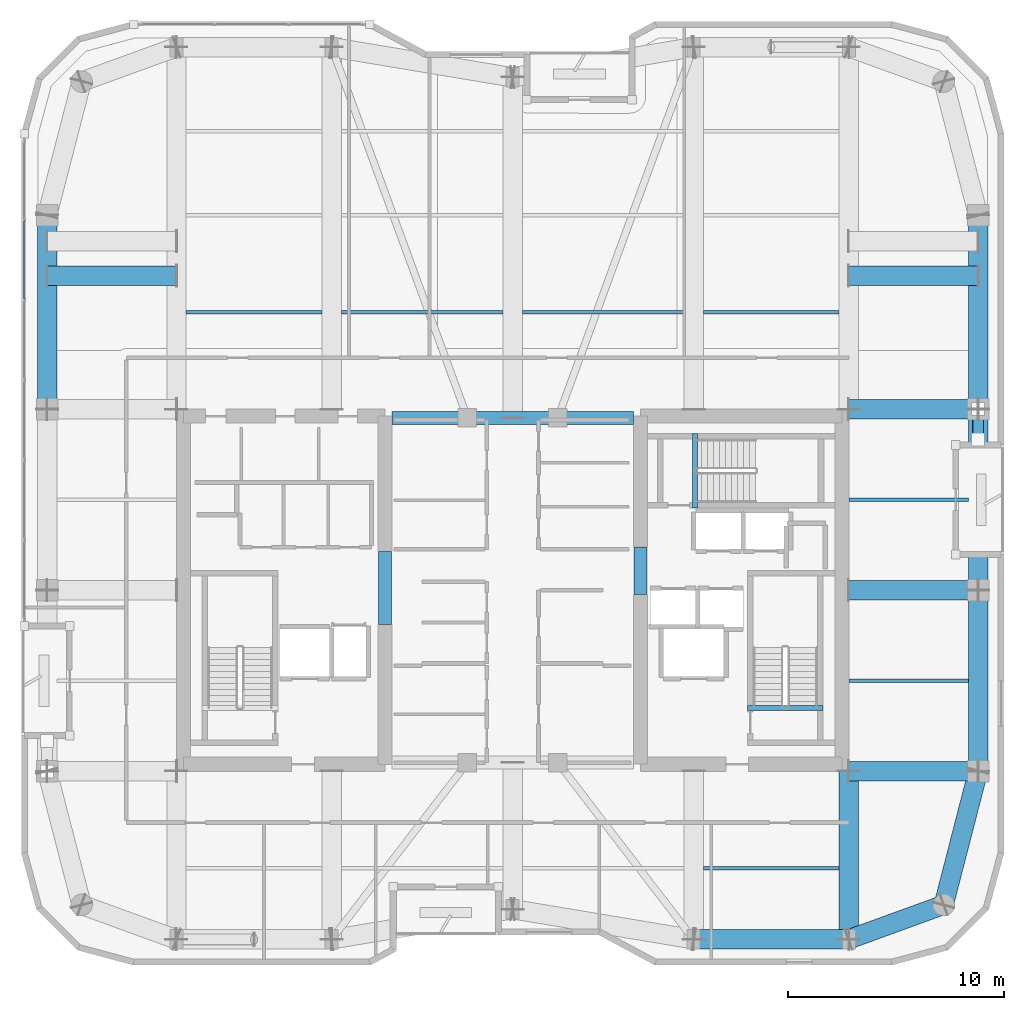
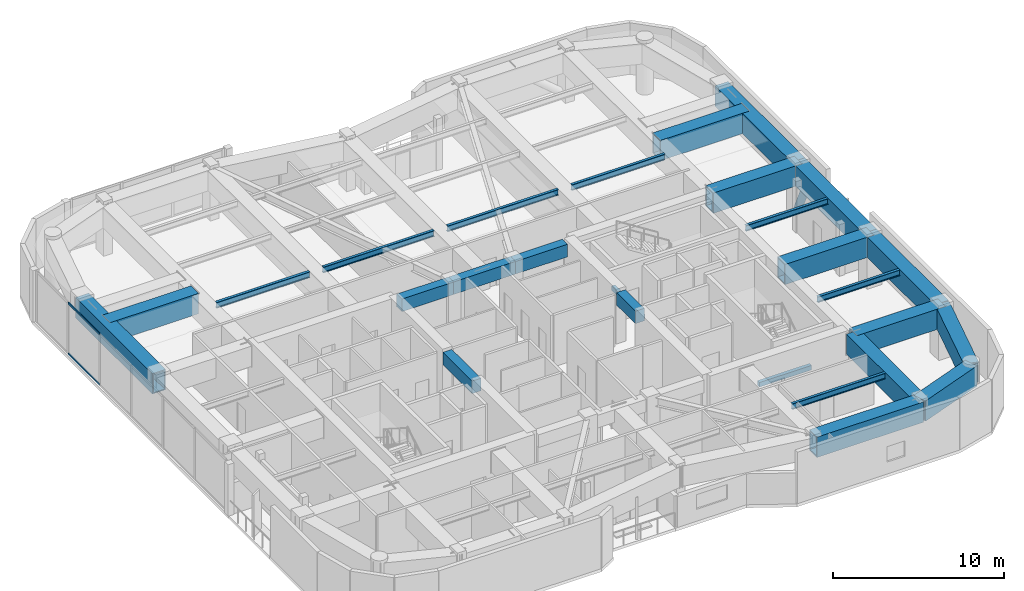
# One storey, part 5 of 21: 27 beams, 3 members, 1 element without a shape of its own.
"""IFC4 building model written with IfcOpenShell, lengths in metres."""

import ifcopenshell
import ifcopenshell.guid

model = None  # the IFC model being written
_history = None  # IfcOwnerHistory: only IFC2X3 demands one
_inside = {}  # id of a spatial element -> (the spatial element, [elements in it])
_under = {}  # id of a project, library or spatial element -> (it, [spatial elements below it])
_declared = {}  # id of a project -> (the project, [libraries it declares])
_typed = {}  # id of a type object -> (the type object, [elements of that type])
_made_of = {}  # id of a material, layer set ... -> (it, [elements and type objects made of it])


def new_model(schema):
    """Start an empty IFC model of exactly this schema.

    Asked for "IFC4X3", IfcOpenShell would pick the latest addendum, in which some entities
    have other attributes; the version numbers below select the first issue.
    IFC2X3 requires an IfcOwnerHistory on every rooted entity: one is made here for all.
    """
    global model, _history
    if schema == "IFC4X3":
        model = ifcopenshell.file(schema_version=(4, 3, 0, 0))
    else:
        model = ifcopenshell.file(schema=schema)
    _inside.clear()
    _under.clear()
    _declared.clear()
    _typed.clear()
    _made_of.clear()
    _history = None
    if model.schema == "IFC2X3":
        org = make("IfcOrganization", Name="unknown")
        user = make(
            "IfcPersonAndOrganization",
            ThePerson=make("IfcPerson", FamilyName="unknown"),
            TheOrganization=org,
        )
        app = make(
            "IfcApplication",
            ApplicationDeveloper=org,
            Version="unknown",
            ApplicationFullName="unknown",
            ApplicationIdentifier="unknown",
        )
        _history = make(
            "IfcOwnerHistory",
            OwningUser=user,
            OwningApplication=app,
            ChangeAction="ADDED",
            CreationDate=0,
        )
    return model


def make(cls, **values):
    """One entity of the class cls with the attributes given. An attribute that is None is left unset."""
    return model.create_entity(
        cls, **{name: value for name, value in values.items() if value is not None}
    )


def rooted(cls, **values):
    """An entity with a GlobalId (a new one), such as an element, a storey or a relation."""
    return make(cls, GlobalId=ifcopenshell.guid.new(), OwnerHistory=_history, **values)


def si_unit(unit_type, name, prefix=None):
    """IfcSIUnit, for example si_unit("LENGTHUNIT", "METRE", prefix="MILLI")."""
    return make("IfcSIUnit", UnitType=unit_type, Prefix=prefix, Name=name)


def assignment(units):
    """IfcUnitAssignment: the units of a project."""
    return None if units is None else make("IfcUnitAssignment", Units=units)


def point(xyz):
    """IfcCartesianPoint."""
    return None if xyz is None else make("IfcCartesianPoint", Coordinates=xyz)


def direction(xyz):
    """IfcDirection."""
    return None if xyz is None else make("IfcDirection", DirectionRatios=xyz)


def frame(location, z_axis=None, x_axis=None):
    """IfcAxis2Placement3D, a coordinate frame: its origin and axes. An axis left out is left unset."""
    return make(
        "IfcAxis2Placement3D",
        Location=point(location),
        Axis=direction(z_axis),
        RefDirection=direction(x_axis),
    )


def frame_2d(location, x_axis=None):
    """IfcAxis2Placement2D, a coordinate frame in the plane: its origin and x axis."""
    return make(
        "IfcAxis2Placement2D", Location=point(location), RefDirection=direction(x_axis)
    )


def origin():
    """The frame at (0, 0, 0) with its axes left unset."""
    return frame((0.0, 0.0, 0.0))


def origin_2d():
    """The frame at (0, 0) in the plane with its x axis left unset."""
    return frame_2d((0.0, 0.0))


def place(relative_to, where):
    """IfcLocalPlacement: puts the frame where relative to a parent placement (None: the world)."""
    return make(
        "IfcLocalPlacement", PlacementRelTo=relative_to, RelativePlacement=where
    )


def context(
    kind, dimensions, precision=None, world=None, true_north=None, identifier=None
):
    """IfcGeometricRepresentationContext, for example the 3D "Model" context."""
    return make(
        "IfcGeometricRepresentationContext",
        ContextIdentifier=identifier,
        ContextType=kind,
        CoordinateSpaceDimension=dimensions,
        Precision=precision,
        WorldCoordinateSystem=world,
        TrueNorth=true_north,
    )


def subcontext(parent, identifier, kind, view, scale=None):
    """IfcGeometricRepresentationSubContext, for example "Body" below "Model"."""
    return make(
        "IfcGeometricRepresentationSubContext",
        ContextIdentifier=identifier,
        ContextType=kind,
        ParentContext=parent,
        TargetScale=scale,
        TargetView=view,
    )


def project(units=None, contexts=None):
    """IfcProject with its units and contexts."""
    return rooted(
        "IfcProject",
        Name="project",
        RepresentationContexts=contexts,
        UnitsInContext=assignment(units),
    )


def spatial(cls, under=None, at=None, **own):
    """A site, building, storey or space (cls), placed at a placement, below another one or the project."""
    s = rooted(cls, ObjectPlacement=at, **own)
    if under is not None:
        _under.setdefault(under.id(), (under, []))[1].append(s)
    return s


def profile(cls, at=None, kind="AREA", **sizes):
    """A parametric profile (cls). Its sizes go by their IFC names, for example OverallWidth=200.0."""
    return make(cls, ProfileType=kind, Position=at, **sizes)


def rectangle(**sizes):
    """IfcRectangleProfileDef."""
    return profile("IfcRectangleProfileDef", **sizes)


def hollow_rectangle(**sizes):
    """IfcRectangleHollowProfileDef."""
    return profile("IfcRectangleHollowProfileDef", **sizes)


def hollow_circle(**sizes):
    """IfcCircleHollowProfileDef."""
    return profile("IfcCircleHollowProfileDef", **sizes)


def i_section(**sizes):
    """IfcIShapeProfileDef."""
    return profile("IfcIShapeProfileDef", **sizes)


def extrude(swept, where, along, depth):
    """IfcExtrudedAreaSolid: the profile swept, set in the frame where, extruded along a direction by depth."""
    return make(
        "IfcExtrudedAreaSolid",
        SweptArea=swept,
        Position=where,
        ExtrudedDirection=direction(along),
        Depth=depth,
    )


def shape(context_of_items, identifier, shape_type, items):
    """IfcShapeRepresentation: the items that make up one representation, for example the "Body"."""
    return make(
        "IfcShapeRepresentation",
        ContextOfItems=context_of_items,
        RepresentationIdentifier=identifier,
        RepresentationType=shape_type,
        Items=items,
    )


def material(Name=None, Category=None):
    """IfcMaterial."""
    return make("IfcMaterial", Name=Name, Category=Category)


def layer(
    of_material, thickness, ventilated=None, Name=None, Category=None, Priority=None
):
    """IfcMaterialLayer: one layer of a wall or slab, of a material (None: an air gap)."""
    return make(
        "IfcMaterialLayer",
        Material=of_material,
        LayerThickness=thickness,
        IsVentilated=ventilated,
        Name=Name,
        Category=Category,
        Priority=Priority,
    )


def layer_set(layers, Name=None):
    """IfcMaterialLayerSet."""
    return make("IfcMaterialLayerSet", MaterialLayers=layers, LayerSetName=Name)


def material_profile(
    of_material, cross_section, Name=None, Category=None, Priority=None
):
    """IfcMaterialProfile: a cross section and its material."""
    return make(
        "IfcMaterialProfile",
        Name=Name,
        Material=of_material,
        Profile=cross_section,
        Priority=Priority,
        Category=Category,
    )


def profile_set(profiles, Name=None, composite=None):
    """IfcMaterialProfileSet."""
    return make(
        "IfcMaterialProfileSet",
        Name=Name,
        MaterialProfiles=profiles,
        CompositeProfile=composite,
    )


def made_of(thing, what):
    """Note that an element or type object is made of a material, layer set ...; save() writes the relation."""
    if what is not None:
        _made_of.setdefault(what.id(), (what, []))[1].append(thing)
    return thing


def type_object(cls, material=None, **own):
    """A type object (cls), such as IfcWallType, which elements share."""
    return made_of(rooted(cls, **own), material)


def element(
    cls,
    number,
    at=None,
    inside=None,
    cuts=None,
    type_object=None,
    material=None,
    context=None,
    identifier="Body",
    shape_type=None,
    held_by="IfcProductDefinitionShape",
    body=None,
    shapes=None,
    **own,
):
    """One element of the class cls, such as IfcWall. Its Tag is "e" and its number.

    at: its placement. inside: the storey or other place that contains it. cuts: it is an
    opening in that element (IfcRelVoidsElement). A single representation is given by context,
    identifier, shape_type and body (its items); several are given by shapes. held_by: the class
    of the entity that holds the representations. save() writes the other relations.
    """
    e = rooted(cls, Tag="e%d" % number, ObjectPlacement=at, **own)
    if body is not None:
        shapes = [shape(context, identifier, shape_type, body)]
    if shapes is not None:
        e.Representation = make(held_by, Representations=shapes)
    if inside is not None:
        _inside.setdefault(inside.id(), (inside, []))[1].append(e)
    if cuts is not None:
        rooted(
            "IfcRelVoidsElement", RelatingBuildingElement=cuts, RelatedOpeningElement=e
        )
    if type_object is not None:
        _typed.setdefault(type_object.id(), (type_object, []))[1].append(e)
    return made_of(e, material)


def aggregate(whole, parts):
    """IfcRelAggregates: a whole, such as a stair, and the parts it consists of."""
    return rooted("IfcRelAggregates", RelatingObject=whole, RelatedObjects=parts)


def save(model, path):
    """Write the relations noted so far, then the file.

    IfcRelAggregates (storeys below a building ...), IfcRelContainedInSpatialStructure (elements
    in a storey), IfcRelDefinesByType, IfcRelAssociatesMaterial and IfcRelDeclares: one each for
    every whole, place, type object, material and project.
    """
    for whole, parts in _under.values():
        aggregate(whole, parts)
    for where, things in _inside.values():
        rooted(
            "IfcRelContainedInSpatialStructure",
            RelatedElements=things,
            RelatingStructure=where,
        )
    for kind, things in _typed.values():
        rooted("IfcRelDefinesByType", RelatedObjects=things, RelatingType=kind)
    for what, things in _made_of.values():
        rooted("IfcRelAssociatesMaterial", RelatedObjects=things, RelatingMaterial=what)
    for by, libraries in _declared.values():
        rooted("IfcRelDeclares", RelatingContext=by, RelatedDefinitions=libraries)
    model.write(path)


model = new_model("IFC4")

# Units and contexts
model_context = context("Model", 3, precision=1e-05, world=origin(), true_north=direction((0.0, 1.0)))
body_context = subcontext(model_context, "Body", "Model", "MODEL_VIEW")
ifc_project = project(units=[si_unit("LENGTHUNIT", "METRE"), si_unit("AREAUNIT", "SQUARE_METRE"), si_unit("VOLUMEUNIT", "CUBIC_METRE"), si_unit("PLANEANGLEUNIT", "RADIAN"), si_unit("MASSUNIT", "GRAM", prefix="KILO")], contexts=[model_context])

# Site, building, storey
site_placement = place(None, origin())
site = spatial("IfcSite", under=ifc_project, at=site_placement, CompositionType="ELEMENT")
building_placement = place(site_placement, origin())
building = spatial("IfcBuilding", under=site, at=building_placement, Name="Kiyonajd Concourse Tower", CompositionType="ELEMENT")
storey_placement = place(building_placement, frame((0.0, 0.0, 251.10009765625)))
storey = spatial("IfcBuildingStorey", under=building, at=storey_placement, Name="L63", CompositionType="ELEMENT", Elevation=251.10009765625)

# Beams
ifc_material_1 = material(Name="Concrete C60/75", Category="concrete")
ifc_material_profile_1 = material_profile(ifc_material_1, rectangle(XDim=0.60009765625, YDim=0.89990234375, at=origin_2d()), Name="RCBM-600x900")
ifc_profile_set_1 = profile_set([ifc_material_profile_1], Name="Concrete C60/75")
beam_type_1 = type_object("IfcBeamType", Name="BM-COUP-900", PredefinedType="LINTEL", material=ifc_profile_set_1)
beam_1_placement = place(storey_placement, frame((42.39990234375, 44.0, 3.22998046875), z_axis=(1.0, 0.0, 0.0), x_axis=(0.0, 1.0, 0.0)))
element("IfcBeam", 1, at=beam_1_placement, inside=storey, type_object=beam_type_1, Name="L63 Core Coupling Beam N1", PredefinedType="LINTEL", context=body_context, shape_type="SweptSolid", body=[
    extrude(rectangle(XDim=0.60009765625, YDim=0.89990234375, at=origin_2d()), origin(), (0.0, 0.0, 1.0), 3.5),
])
beam_2_placement = place(storey_placement, frame((45.89990234375, 44.0, 3.22998046875), z_axis=(1.0, 0.0, 0.0), x_axis=(0.0, 1.0, 0.0)))
element("IfcBeam", 2, at=beam_2_placement, inside=storey, type_object=beam_type_1, Name="L63 Core Coupling Beam N2", PredefinedType="LINTEL", context=body_context, shape_type="SweptSolid", body=[
    extrude(rectangle(XDim=0.60009765625, YDim=0.89990234375, at=origin_2d()), origin(), (0.0, 0.0, 1.0), 4.2001953125),
])
beam_3_placement = place(storey_placement, frame((50.10009765625, 44.0, 3.22998046875), z_axis=(1.0, 0.0, 0.0), x_axis=(0.0, 1.0, 0.0)))
element("IfcBeam", 3, at=beam_3_placement, inside=storey, type_object=beam_type_1, Name="L63 Core Coupling Beam N3", PredefinedType="LINTEL", context=body_context, shape_type="SweptSolid", body=[
    extrude(rectangle(XDim=0.60009765625, YDim=0.89990234375, at=origin_2d()), origin(), (0.0, 0.0, 1.0), 3.5),
])
beam_4_placement = place(storey_placement, frame((42.074951171875, 34.39990234375, 3.22998046875), z_axis=(0.0, 1.0, 0.0), x_axis=(-1.0, 0.0, 0.0)))
element("IfcBeam", 4, at=beam_4_placement, inside=storey, type_object=beam_type_1, Name="L63 West Core Throat Coupling Lintel", PredefinedType="LINTEL", context=body_context, shape_type="SweptSolid", body=[
    extrude(rectangle(XDim=0.60009765625, YDim=0.89990234375, at=origin_2d()), origin(), (0.0, 0.0, 1.0), 3.400146484375),
])
beam_5_placement = place(storey_placement, frame((53.925048828125, 35.800048828125, 3.22998046875), z_axis=(0.0, 1.0, 0.0), x_axis=(-1.0, 0.0, 0.0)))
element("IfcBeam", 5, at=beam_5_placement, inside=storey, type_object=beam_type_1, Name="L63 East Core Throat Coupling Lintel", PredefinedType="LINTEL", context=body_context, shape_type="SweptSolid", body=[
    extrude(rectangle(XDim=0.60009765625, YDim=0.89990234375, at=origin_2d()), origin(), (0.0, 0.0, 1.0), 2.199951171875),
])
ifc_material_2 = material(Name="Steel ASTM A992 Grade 50", Category="steel")
ifc_material_profile_2 = material_profile(ifc_material_2, i_section(OverallWidth=0.180908203125, OverallDepth=0.4169921875, WebThickness=0.010986328125, FlangeThickness=0.018310546875, at=origin_2d()), Name="W410X85")
ifc_profile_set_2 = profile_set([ifc_material_profile_2], Name="Steel ASTM A992 Grade 50")
beam_type_2 = type_object("IfcBeamType", Name="BM-JST-410", PredefinedType="JOIST", material=ifc_profile_set_2)
for number, where, z_axis, x_axis, name in (
    (6, (56.85009765625, 23.10009765625, 3.471435546875), (1.0, 0.0, 0.0), (0.0, 1.0, 0.0), "L63 Secondary Floor Joist"),
    (7, (32.85009765625, 48.89990234375, 3.471435546875), (1.0, 0.0, 0.0), (0.0, 1.0, 0.0), "L63 Secondary Floor Joist"),
):
    element("IfcBeam", number, at=place(storey_placement, frame(where, z_axis=z_axis, x_axis=x_axis)), inside=storey, type_object=beam_type_2, Name=name, PredefinedType="JOIST", context=body_context, shape_type="SweptSolid", body=[
        extrude(i_section(OverallWidth=0.180908203125, OverallDepth=0.4169921875, WebThickness=0.010986328125, FlangeThickness=0.018310546875, at=origin_2d()), origin(), (0.0, 0.0, 1.0), 6.2998046875),
    ])
for number, where, z_axis, x_axis, name in (
    (8, (40.050048828125, 48.89990234375, 3.471435546875), (1.0, 0.0, 0.0), (0.0, 1.0, 0.0), "L63 Secondary Floor Joist"),
    (9, (48.449951171875, 48.89990234375, 3.471435546875), (1.0, 0.0, 0.0), (0.0, 1.0, 0.0), "L63 Secondary Floor Joist"),
):
    element("IfcBeam", number, at=place(storey_placement, frame(where, z_axis=z_axis, x_axis=x_axis)), inside=storey, type_object=beam_type_2, Name=name, PredefinedType="JOIST", context=body_context, shape_type="SweptSolid", body=[
        extrude(i_section(OverallWidth=0.180908203125, OverallDepth=0.4169921875, WebThickness=0.010986328125, FlangeThickness=0.018310546875, at=origin_2d()), origin(), (0.0, 0.0, 1.0), 7.5),
    ])
beam_6_placement = place(storey_placement, frame((56.85009765625, 48.89990234375, 3.471435546875), z_axis=(1.0, 0.0, 0.0), x_axis=(0.0, 1.0, 0.0)))
element("IfcBeam", 10, at=beam_6_placement, inside=storey, type_object=beam_type_2, Name="L63 Secondary Floor Joist", PredefinedType="JOIST", context=body_context, shape_type="SweptSolid", body=[
    extrude(i_section(OverallWidth=0.180908203125, OverallDepth=0.4169921875, WebThickness=0.010986328125, FlangeThickness=0.018310546875, at=origin_2d()), origin(), (0.0, 0.0, 1.0), 6.2998046875),
])
for number, where, z_axis, x_axis, name in (
    (11, (63.60009765625, 31.800048828125, 3.471435546875), (1.0, 0.0, 0.0), (0.0, 1.0, 0.0), "L63 East Secondary Floor Joist"),
    (12, (63.60009765625, 40.199951171875, 3.471435546875), (1.0, 0.0, 0.0), (0.0, 1.0, 0.0), "L63 East Secondary Floor Joist"),
):
    element("IfcBeam", number, at=place(storey_placement, frame(where, z_axis=z_axis, x_axis=x_axis)), inside=storey, type_object=beam_type_2, Name=name, PredefinedType="JOIST", context=body_context, shape_type="SweptSolid", body=[
        extrude(i_section(OverallWidth=0.180908203125, OverallDepth=0.4169921875, WebThickness=0.010986328125, FlangeThickness=0.018310546875, at=origin_2d()), origin(), (0.0, 0.0, 1.0), 5.5498046875),
    ])
ifc_material_3 = material(Name="Concrete C50/60", Category="concrete")
ifc_material_profile_3 = material_profile(ifc_material_3, rectangle(XDim=0.239990234375, YDim=0.320068359375, at=origin_2d()), Name="RCBM-240x320")
ifc_profile_set_3 = profile_set([ifc_material_profile_3], Name="Concrete C50/60")
beam_type_3 = type_object("IfcBeamType", Name="BM-LNT-250", PredefinedType="LINTEL", material=ifc_profile_set_3)
beam_7_placement = place(storey_placement, frame((58.889892578125, 30.530029296875, -0.16015625), z_axis=(1.0, 0.0, 0.0), x_axis=(0.0, 1.0, 0.0)))
element("IfcBeam", 13, at=beam_7_placement, inside=storey, type_object=beam_type_3, Name="L63 Stair ST2 Threshold Support Beam", PredefinedType="LINTEL", context=body_context, shape_type="SweptSolid", body=[
    extrude(rectangle(XDim=0.239990234375, YDim=0.320068359375, at=origin_2d()), origin(), (0.0, 0.0, 1.0), 3.52001953125),
])
beam_8_placement = place(storey_placement, frame((56.4599609375, 39.820068359375, -0.16015625), z_axis=(0.0, 1.0, 0.0), x_axis=(-1.0, 0.0, 0.0)))
element("IfcBeam", 14, at=beam_8_placement, inside=storey, type_object=beam_type_3, Name="L63 Stair ST3 Threshold Support Beam", PredefinedType="LINTEL", context=body_context, shape_type="SweptSolid", body=[
    extrude(rectangle(XDim=0.239990234375, YDim=0.320068359375, at=origin_2d()), origin(), (0.0, 0.0, 1.0), 3.4599609375),
])
ifc_material_4 = material(Name="Steel ASTM A572 Grade 50", Category="steel")
ifc_material_profile_4 = material_profile(ifc_material_4, hollow_rectangle(XDim=0.89990234375, YDim=1.449951171875, WallThickness=0.074951171875, at=origin_2d()), Name="BOX-1450x900x75")
ifc_profile_set_4 = profile_set([ifc_material_profile_4], Name="Steel ASTM A572 Grade 50")
beam_type_4 = type_object("IfcBeamType", Name="BM-XFER-1800", PredefinedType="BEAM", material=ifc_profile_set_4)
beam_9_placement = place(storey_placement, frame((56.39990234375, 19.800048828125, 2.954833984375), z_axis=(1.0, 0.0, 0.0), x_axis=(0.0, 1.0, 0.0)))
element("IfcBeam", 15, at=beam_9_placement, inside=storey, type_object=beam_type_4, Name="L63 Perimeter Bundled Tube Spandrel", PredefinedType="BEAM", context=body_context, shape_type="SweptSolid", body=[
    extrude(hollow_rectangle(XDim=0.89990234375, YDim=1.449951171875, WallThickness=0.074951171875, at=origin_2d()), origin(), (0.0, 0.0, 1.0), 7.2001953125),
])
beam_10_placement = place(storey_placement, frame((63.60009765625, 19.800048828125, 2.954833984375), z_axis=(0.939801036019, 0.341722127901, 0.0), x_axis=(-0.341722127901, 0.939801036019, 0.0)))
element("IfcBeam", 16, at=beam_10_placement, inside=storey, type_object=beam_type_4, Name="L63 Perimeter Bundled Tube Spandrel", PredefinedType="BEAM", context=body_context, shape_type="SweptSolid", body=[
    extrude(hollow_rectangle(XDim=0.89990234375, YDim=1.449951171875, WallThickness=0.074951171875, at=origin_2d()), origin(), (0.0, 0.0, 1.0), 4.681640625),
])
beam_11_placement = place(storey_placement, frame((68.0, 21.39990234375, 2.954833984375), z_axis=(0.249884937687, 0.968275538221, 0.0), x_axis=(-0.968275538221, 0.249884937687, 0.0)))
element("IfcBeam", 17, at=beam_11_placement, inside=storey, type_object=beam_type_4, Name="L63 Perimeter Bundled Tube Spandrel", PredefinedType="BEAM", context=body_context, shape_type="SweptSolid", body=[
    extrude(hollow_rectangle(XDim=0.89990234375, YDim=1.449951171875, WallThickness=0.074951171875, at=origin_2d()), origin(), (0.0, 0.0, 1.0), 6.4033203125),
])
for number, where, z_axis, x_axis, name in (
    (18, (69.60009765625, 27.60009765625, 2.954833984375), (0.0, 1.0, 0.0), (-1.0, 0.0, 0.0), "L63 Perimeter Bundled Tube Spandrel"),
    (19, (69.60009765625, 36.0, 2.954833984375), (0.0, 1.0, 0.0), (-1.0, 0.0, 0.0), "L63 Perimeter Bundled Tube Spandrel"),
):
    element("IfcBeam", number, at=place(storey_placement, frame(where, z_axis=z_axis, x_axis=x_axis)), inside=storey, type_object=beam_type_4, Name=name, PredefinedType="BEAM", context=body_context, shape_type="SweptSolid", body=[
        extrude(hollow_rectangle(XDim=0.89990234375, YDim=1.449951171875, WallThickness=0.074951171875, at=origin_2d()), origin(), (0.0, 0.0, 1.0), 8.39990234375),
    ])
for number, where, z_axis, x_axis, name in (
    (20, (69.60009765625, 44.39990234375, 2.954833984375), (0.0, 1.0, 0.0), (-1.0, 0.0, 0.0), "L63 Perimeter Bundled Tube Spandrel"),
    (21, (26.39990234375, 53.39990234375, 2.954833984375), (0.0, -1.0, 0.0), (1.0, 0.0, 0.0), "L63 Perimeter Bundled Tube Spandrel"),
):
    element("IfcBeam", number, at=place(storey_placement, frame(where, z_axis=z_axis, x_axis=x_axis)), inside=storey, type_object=beam_type_4, Name=name, PredefinedType="BEAM", context=body_context, shape_type="SweptSolid", body=[
        extrude(hollow_rectangle(XDim=0.89990234375, YDim=1.449951171875, WallThickness=0.074951171875, at=origin_2d()), origin(), (0.0, 0.0, 1.0), 9.0),
    ])
beam_12_placement = place(storey_placement, frame((63.60009765625, 19.800048828125, 2.954833984375), z_axis=(0.0, 1.0, 0.0), x_axis=(-1.0, 0.0, 0.0)))
element("IfcBeam", 22, at=beam_12_placement, inside=storey, type_object=beam_type_4, Name="L63 South Lease Girder", PredefinedType="BEAM", context=body_context, shape_type="SweptSolid", body=[
    extrude(hollow_rectangle(XDim=0.89990234375, YDim=1.449951171875, WallThickness=0.074951171875, at=origin_2d()), origin(), (0.0, 0.0, 1.0), 7.800048828125),
])
for number, where, z_axis, x_axis, name in (
    (23, (63.60009765625, 27.60009765625, 2.954833984375), (1.0, 0.0, 0.0), (0.0, 1.0, 0.0), "L63 East Lease Girder"),
    (24, (63.60009765625, 36.0, 2.954833984375), (1.0, 0.0, 0.0), (0.0, 1.0, 0.0), "L63 East Lease Girder"),
    (25, (63.60009765625, 44.39990234375, 2.954833984375), (1.0, 0.0, 0.0), (0.0, 1.0, 0.0), "L63 East Lease Girder"),
    (26, (63.60009765625, 50.60009765625, 2.954833984375), (1.0, 0.0, 0.0), (0.0, 1.0, 0.0), "L63 Column Transfer Girder"),
    (27, (26.39990234375, 50.60009765625, 2.954833984375), (1.0, 0.0, 0.0), (0.0, 1.0, 0.0), "L63 Column Transfer Girder"),
):
    element("IfcBeam", number, at=place(storey_placement, frame(where, z_axis=z_axis, x_axis=x_axis)), inside=storey, type_object=beam_type_4, Name=name, PredefinedType="BEAM", context=body_context, shape_type="SweptSolid", body=[
        extrude(hollow_rectangle(XDim=0.89990234375, YDim=1.449951171875, WallThickness=0.074951171875, at=origin_2d()), origin(), (0.0, 0.0, 1.0), 6.0),
    ])

# Curtain wall, members
ifc_material_5 = material(Name="Thermally Broken Anodised Aluminium", Category="aluminium")
ifc_layer = layer(ifc_material_5, 0.179931640625)
ifc_layer_set = layer_set([ifc_layer], Name="Thermally Broken Anodised Aluminium")
curtain_wall_type = type_object("IfcCurtainWallType", Name="CW-SYS-04", PredefinedType="NOTDEFINED", material=ifc_layer_set)
curtain_wall_placement = place(storey_placement, origin())
curtain_wall = element("IfcCurtainWall", 28, at=curtain_wall_placement, inside=storey, type_object=curtain_wall_type, Name="L63 Unitised Curtain Wall CW4", PredefinedType="NOTDEFINED")
ifc_material_profile_5 = material_profile(ifc_material_5, hollow_rectangle(XDim=0.06494140625, YDim=0.139892578125, WallThickness=0.00390625, at=origin_2d()), Name="TRAN-65x140")
ifc_profile_set_5 = profile_set([ifc_material_profile_5], Name="Thermally Broken Anodised Aluminium")
member_type_1 = type_object("IfcMemberType", Name="MB-CW-TRAN1", PredefinedType="USERDEFINED", material=ifc_profile_set_5)
member_1_placement = place(storey_placement, frame((25.340087890625, 49.503662109375, 0.032470703125), z_axis=(0.0, 1.0, 0.0), x_axis=(-1.0, 0.0, 0.0)))
member_1 = element("IfcMember", 29, at=member_1_placement, type_object=member_type_1, Name="CW4 transom 5.1", ObjectType="TRANSOM", PredefinedType="USERDEFINED", context=body_context, shape_type="SweptSolid", body=[
    extrude(hollow_rectangle(XDim=0.06494140625, YDim=0.139892578125, WallThickness=0.00390625, at=origin_2d()), origin(), (0.0, 0.0, 1.0), 3.645263671875),
])
member_2_placement = place(storey_placement, frame((25.340087890625, 49.503662109375, 3.6474609375), z_axis=(0.0, 1.0, 0.0), x_axis=(-1.0, 0.0, 0.0)))
member_2 = element("IfcMember", 30, at=member_2_placement, type_object=member_type_1, Name="CW4 transom 5.2", ObjectType="TRANSOM", PredefinedType="USERDEFINED", context=body_context, shape_type="SweptSolid", body=[
    extrude(hollow_rectangle(XDim=0.06494140625, YDim=0.139892578125, WallThickness=0.00390625, at=origin_2d()), origin(), (0.0, 0.0, 1.0), 3.645263671875),
])
aggregate(curtain_wall, [member_1, member_2])

# Member
ifc_material_6 = material(Name="Steel ASTM A500 Grade C", Category="steel")
ifc_material_profile_6 = material_profile(ifc_material_6, hollow_circle(Radius=0.25390625, WallThickness=0.02197265625, at=origin_2d()), Name="CHS-508x22")
ifc_profile_set_6 = profile_set([ifc_material_profile_6], Name="Steel ASTM A500 Grade C")
member_type_2 = type_object("IfcMemberType", Name="MB-PB-MID", PredefinedType="BRACE", material=ifc_profile_set_6)
member_3_placement = place(storey_placement, frame((69.60009765625, 44.39990234375, 0.2998046875), z_axis=(0.0, -0.419410666774, 0.907796614114), x_axis=(1.0, 0.0, 0.0)))
element("IfcMember", 31, at=member_3_placement, inside=storey, type_object=member_type_2, Name="L63 Upper Zone Hollow Tube Brace PBE", PredefinedType="BRACE", context=body_context, shape_type="SweptSolid", body=[
    extrude(hollow_circle(Radius=0.25390625, WallThickness=0.02197265625, at=origin_2d()), origin(), (0.0, 0.0, 1.0), 3.337890625),
])

save(model, "model.ifc")
